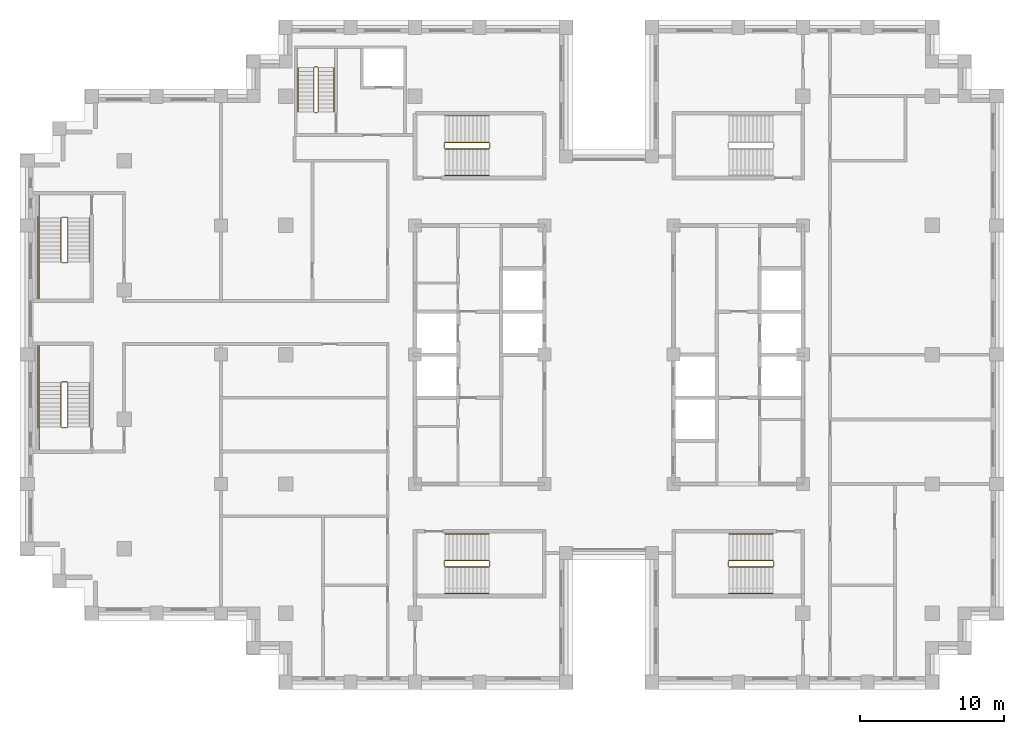
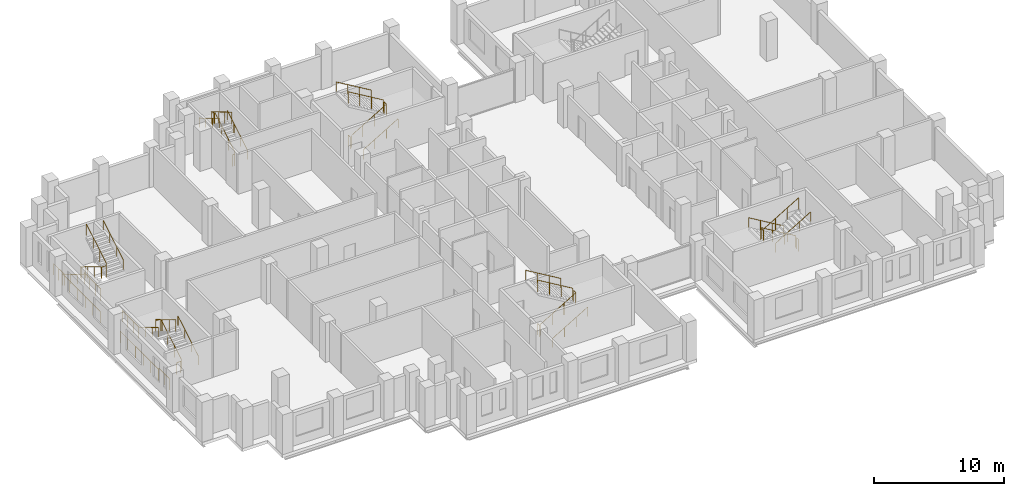
# One storey, part 14 of 15: 6 railings.
"""IFC4 building model written with IfcOpenShell, lengths in metres."""

from ifc_helpers import new_model, si_unit, direction, frame, origin, origin_2d, place, context, subcontext, project, spatial, circle, extrude, material, type_object, element, save


model = new_model("IFC4")

# Units and contexts
model_context = context("Model", 3, precision=1e-05, world=origin(), true_north=direction((0.0, 1.0)))
body_context = subcontext(model_context, "Body", "Model", "MODEL_VIEW")
ifc_project = project(units=[si_unit("LENGTHUNIT", "METRE"), si_unit("AREAUNIT", "SQUARE_METRE"), si_unit("VOLUMEUNIT", "CUBIC_METRE"), si_unit("PLANEANGLEUNIT", "RADIAN"), si_unit("MASSUNIT", "GRAM", prefix="KILO")], contexts=[model_context])

# Site, building, storey
site_placement = place(None, origin())
site = spatial("IfcSite", under=ifc_project, at=site_placement, CompositionType="ELEMENT")
building_placement = place(site_placement, origin())
building = spatial("IfcBuilding", under=site, at=building_placement, Name="Corbelhall Arena Tower", CompositionType="ELEMENT")
storey_placement = place(building_placement, frame((0.0, 0.0, 208.0)))
storey = spatial("IfcBuildingStorey", under=building, at=storey_placement, Name="L43", CompositionType="ELEMENT", Elevation=208.0)

# Railings
ifc_material = material(Name="Steel ASTM A500 Gr C", Category="steel")
railing_type = type_object("IfcRailingType", Name="IN-GD-1100", PredefinedType="GUARDRAIL", material=ifc_material)
railing_1_placement = place(storey_placement, frame((-11.425048828125, 14.324951171875, 0.166748046875)))
element("IfcRailing", 1, at=railing_1_placement, inside=storey, type_object=railing_type, Name="L43 ST1 stair guards and handrails", PredefinedType="GUARDRAIL", context=body_context, shape_type="SweptSolid", body=[
    extrude(circle(Radius=0.02392578125, at=origin_2d()), frame((0.0, 0.0, 1.076171875), z_axis=(0.859308565015, 0.0, 0.511457515432), x_axis=(0.0, 1.0, 0.0)), (0.0, 0.0, 1.0), 3.58447265625),
    extrude(circle(Radius=0.02392578125, at=origin_2d()), frame((3.130126953125, 0.050048828125, 2.9091796875), z_axis=(0.0, 1.0, 0.0), x_axis=(-1.0, 0.0, 0.0)), (0.0, 0.0, 1.0), 0.35009765625),
    extrude(circle(Radius=0.02392578125, at=origin_2d()), frame((3.080078125, 0.449951171875, 3.076171875), z_axis=(-0.859308565015, 0.0, 0.511457515432), x_axis=(0.0, -1.0, 0.0)), (0.0, 0.0, 1.0), 3.58447265625),
    extrude(circle(Radius=0.02392578125, at=origin_2d()), frame((-0.050048828125, 0.050048828125, 0.9091796875), z_axis=(0.0, 1.0, 0.0), x_axis=(-1.0, 0.0, 0.0)), (0.0, 0.0, 1.0), 0.35009765625),
    extrude(circle(Radius=0.02392578125, at=origin_2d()), frame((0.0, -1.849853515625, 0.8759765625), z_axis=(0.859308565015, 0.0, 0.511457515432), x_axis=(0.0, 1.0, 0.0)), (0.0, 0.0, 1.0), 3.58447265625),
    extrude(circle(Radius=0.02392578125, at=origin_2d()), frame((3.080078125, 2.300048828125, 2.8759765625), z_axis=(-0.859308565015, 0.0, 0.511457515432), x_axis=(0.0, -1.0, 0.0)), (0.0, 0.0, 1.0), 3.58447265625),
    extrude(circle(Radius=0.02099609375, at=origin_2d()), origin(), (0.0, 0.0, 1.0), 1.052001953125),
    extrude(circle(Radius=0.02099609375, at=origin_2d()), frame((1.026611328125, 0.0, 0.611083984375)), (0.0, 0.0, 1.0), 1.052001953125),
    extrude(circle(Radius=0.02099609375, at=origin_2d()), frame((2.053466796875, 0.0, 1.22216796875)), (0.0, 0.0, 1.0), 1.052001953125),
    extrude(circle(Radius=0.02099609375, at=origin_2d()), frame((3.080078125, 0.0, 1.833251953125)), (0.0, 0.0, 1.0), 1.052001953125),
    extrude(circle(Radius=0.02099609375, at=origin_2d()), frame((3.130126953125, 0.050048828125, 1.833251953125)), (0.0, 0.0, 1.0), 1.052001953125),
    extrude(circle(Radius=0.02099609375, at=origin_2d()), frame((3.130126953125, 0.400146484375, 1.833251953125)), (0.0, 0.0, 1.0), 1.052001953125),
    extrude(circle(Radius=0.02099609375, at=origin_2d()), frame((3.080078125, 0.449951171875, 2.0)), (0.0, 0.0, 1.0), 1.052001953125),
    extrude(circle(Radius=0.02099609375, at=origin_2d()), frame((2.053466796875, 0.449951171875, 2.611083984375)), (0.0, 0.0, 1.0), 1.052001953125),
    extrude(circle(Radius=0.02099609375, at=origin_2d()), frame((1.026611328125, 0.449951171875, 3.22216796875)), (0.0, 0.0, 1.0), 1.052001953125),
    extrude(circle(Radius=0.02099609375, at=origin_2d()), frame((0.0, 0.449951171875, 3.833251953125)), (0.0, 0.0, 1.0), 1.052001953125),
    extrude(circle(Radius=0.02099609375, at=origin_2d()), frame((-0.050048828125, 0.050048828125, -0.166748046875)), (0.0, 0.0, 1.0), 1.052001953125),
    extrude(circle(Radius=0.02099609375, at=origin_2d()), frame((-0.050048828125, 0.400146484375, -0.166748046875)), (0.0, 0.0, 1.0), 1.052001953125),
    extrude(circle(Radius=0.02099609375, at=origin_2d()), frame((0.0, -1.849853515625, 0.0)), (0.0, 0.0, 1.0), 0.851806640625),
    extrude(circle(Radius=0.02099609375, at=origin_2d()), frame((1.026611328125, -1.849853515625, 0.611083984375)), (0.0, 0.0, 1.0), 0.851806640625),
    extrude(circle(Radius=0.02099609375, at=origin_2d()), frame((2.053466796875, -1.849853515625, 1.22216796875)), (0.0, 0.0, 1.0), 0.851806640625),
    extrude(circle(Radius=0.02099609375, at=origin_2d()), frame((3.080078125, -1.849853515625, 1.833251953125)), (0.0, 0.0, 1.0), 0.851806640625),
    extrude(circle(Radius=0.02099609375, at=origin_2d()), frame((3.080078125, 2.300048828125, 2.0)), (0.0, 0.0, 1.0), 0.851806640625),
    extrude(circle(Radius=0.02099609375, at=origin_2d()), frame((2.053466796875, 2.300048828125, 2.611083984375)), (0.0, 0.0, 1.0), 0.851806640625),
    extrude(circle(Radius=0.02099609375, at=origin_2d()), frame((1.026611328125, 2.300048828125, 3.22216796875)), (0.0, 0.0, 1.0), 0.851806640625),
    extrude(circle(Radius=0.02099609375, at=origin_2d()), frame((0.0, 2.300048828125, 3.833251953125)), (0.0, 0.0, 1.0), 0.851806640625),
])
railing_2_placement = place(storey_placement, frame((-11.425048828125, -14.77490234375, 0.166748046875)))
element("IfcRailing", 2, at=railing_2_placement, inside=storey, type_object=railing_type, Name="L43 ST2 stair guards and handrails", PredefinedType="GUARDRAIL", context=body_context, shape_type="SweptSolid", body=[
    extrude(circle(Radius=0.02392578125, at=origin_2d()), frame((0.0, 0.0, 1.076171875), z_axis=(0.859308565015, 0.0, 0.511457515432), x_axis=(0.0, 1.0, 0.0)), (0.0, 0.0, 1.0), 3.58447265625),
    extrude(circle(Radius=0.02392578125, at=origin_2d()), frame((3.130126953125, 0.0498046875, 2.9091796875), z_axis=(0.0, 1.0, 0.0), x_axis=(-1.0, 0.0, 0.0)), (0.0, 0.0, 1.0), 0.35009765625),
    extrude(circle(Radius=0.02392578125, at=origin_2d()), frame((3.080078125, 0.449951171875, 3.076171875), z_axis=(-0.859308565015, 0.0, 0.511457515432), x_axis=(0.0, -1.0, 0.0)), (0.0, 0.0, 1.0), 3.58447265625),
    extrude(circle(Radius=0.02392578125, at=origin_2d()), frame((-0.050048828125, 0.0498046875, 0.9091796875), z_axis=(0.0, 1.0, 0.0), x_axis=(-1.0, 0.0, 0.0)), (0.0, 0.0, 1.0), 0.35009765625),
    extrude(circle(Radius=0.02392578125, at=origin_2d()), frame((0.0, -1.85009765625, 0.8759765625), z_axis=(0.859308565015, 0.0, 0.511457515432), x_axis=(0.0, 1.0, 0.0)), (0.0, 0.0, 1.0), 3.58447265625),
    extrude(circle(Radius=0.02392578125, at=origin_2d()), frame((3.080078125, 2.2998046875, 2.8759765625), z_axis=(-0.859308565015, 0.0, 0.511457515432), x_axis=(0.0, -1.0, 0.0)), (0.0, 0.0, 1.0), 3.58447265625),
    extrude(circle(Radius=0.02099609375, at=origin_2d()), origin(), (0.0, 0.0, 1.0), 1.052001953125),
    extrude(circle(Radius=0.02099609375, at=origin_2d()), frame((1.026611328125, 0.0, 0.611083984375)), (0.0, 0.0, 1.0), 1.052001953125),
    extrude(circle(Radius=0.02099609375, at=origin_2d()), frame((2.053466796875, 0.0, 1.22216796875)), (0.0, 0.0, 1.0), 1.052001953125),
    extrude(circle(Radius=0.02099609375, at=origin_2d()), frame((3.080078125, 0.0, 1.833251953125)), (0.0, 0.0, 1.0), 1.052001953125),
    extrude(circle(Radius=0.02099609375, at=origin_2d()), frame((3.130126953125, 0.0498046875, 1.833251953125)), (0.0, 0.0, 1.0), 1.052001953125),
    extrude(circle(Radius=0.02099609375, at=origin_2d()), frame((3.130126953125, 0.39990234375, 1.833251953125)), (0.0, 0.0, 1.0), 1.052001953125),
    extrude(circle(Radius=0.02099609375, at=origin_2d()), frame((3.080078125, 0.449951171875, 2.0)), (0.0, 0.0, 1.0), 1.052001953125),
    extrude(circle(Radius=0.02099609375, at=origin_2d()), frame((2.053466796875, 0.449951171875, 2.611083984375)), (0.0, 0.0, 1.0), 1.052001953125),
    extrude(circle(Radius=0.02099609375, at=origin_2d()), frame((1.026611328125, 0.449951171875, 3.22216796875)), (0.0, 0.0, 1.0), 1.052001953125),
    extrude(circle(Radius=0.02099609375, at=origin_2d()), frame((0.0, 0.449951171875, 3.833251953125)), (0.0, 0.0, 1.0), 1.052001953125),
    extrude(circle(Radius=0.02099609375, at=origin_2d()), frame((-0.050048828125, 0.0498046875, -0.166748046875)), (0.0, 0.0, 1.0), 1.052001953125),
    extrude(circle(Radius=0.02099609375, at=origin_2d()), frame((-0.050048828125, 0.39990234375, -0.166748046875)), (0.0, 0.0, 1.0), 1.052001953125),
    extrude(circle(Radius=0.02099609375, at=origin_2d()), frame((0.0, -1.85009765625, 0.0)), (0.0, 0.0, 1.0), 0.851806640625),
    extrude(circle(Radius=0.02099609375, at=origin_2d()), frame((1.026611328125, -1.85009765625, 0.611083984375)), (0.0, 0.0, 1.0), 0.851806640625),
    extrude(circle(Radius=0.02099609375, at=origin_2d()), frame((2.053466796875, -1.85009765625, 1.22216796875)), (0.0, 0.0, 1.0), 0.851806640625),
    extrude(circle(Radius=0.02099609375, at=origin_2d()), frame((3.080078125, -1.85009765625, 1.833251953125)), (0.0, 0.0, 1.0), 0.851806640625),
    extrude(circle(Radius=0.02099609375, at=origin_2d()), frame((3.080078125, 2.2998046875, 2.0)), (0.0, 0.0, 1.0), 0.851806640625),
    extrude(circle(Radius=0.02099609375, at=origin_2d()), frame((2.053466796875, 2.2998046875, 2.611083984375)), (0.0, 0.0, 1.0), 0.851806640625),
    extrude(circle(Radius=0.02099609375, at=origin_2d()), frame((1.026611328125, 2.2998046875, 3.22216796875)), (0.0, 0.0, 1.0), 0.851806640625),
    extrude(circle(Radius=0.02099609375, at=origin_2d()), frame((0.0, 2.2998046875, 3.833251953125)), (0.0, 0.0, 1.0), 0.851806640625),
])
railing_3_placement = place(storey_placement, frame((11.425048828125, -14.324951171875, 0.166748046875)))
element("IfcRailing", 3, at=railing_3_placement, inside=storey, type_object=railing_type, Name="L43 ST4 stair guards and handrails", PredefinedType="GUARDRAIL", context=body_context, shape_type="SweptSolid", body=[
    extrude(circle(Radius=0.02392578125, at=origin_2d()), frame((0.0, 0.0, 1.076171875), z_axis=(-0.859308565015, 0.0, 0.511457515432), x_axis=(0.0, -1.0, 0.0)), (0.0, 0.0, 1.0), 3.58447265625),
    extrude(circle(Radius=0.02392578125, at=origin_2d()), frame((-3.130126953125, -0.050048828125, 2.9091796875), z_axis=(0.0, -1.0, 0.0), x_axis=(1.0, 0.0, 0.0)), (0.0, 0.0, 1.0), 0.35009765625),
    extrude(circle(Radius=0.02392578125, at=origin_2d()), frame((-3.080078125, -0.449951171875, 3.076171875), z_axis=(0.859308565015, 0.0, 0.511457515432), x_axis=(0.0, 1.0, 0.0)), (0.0, 0.0, 1.0), 3.58447265625),
    extrude(circle(Radius=0.02392578125, at=origin_2d()), frame((0.050048828125, -0.050048828125, 0.9091796875), z_axis=(0.0, -1.0, 0.0), x_axis=(1.0, 0.0, 0.0)), (0.0, 0.0, 1.0), 0.35009765625),
    extrude(circle(Radius=0.02392578125, at=origin_2d()), frame((0.0, 1.849853515625, 0.8759765625), z_axis=(-0.859308565015, 0.0, 0.511457515432), x_axis=(0.0, -1.0, 0.0)), (0.0, 0.0, 1.0), 3.58447265625),
    extrude(circle(Radius=0.02392578125, at=origin_2d()), frame((-3.080078125, -2.300048828125, 2.8759765625), z_axis=(0.859308565015, 0.0, 0.511457515432), x_axis=(0.0, 1.0, 0.0)), (0.0, 0.0, 1.0), 3.58447265625),
    extrude(circle(Radius=0.02099609375, at=origin_2d()), origin(), (0.0, 0.0, 1.0), 1.052001953125),
    extrude(circle(Radius=0.02099609375, at=origin_2d()), frame((-1.026611328125, 0.0, 0.611083984375)), (0.0, 0.0, 1.0), 1.052001953125),
    extrude(circle(Radius=0.02099609375, at=origin_2d()), frame((-2.053466796875, 0.0, 1.22216796875)), (0.0, 0.0, 1.0), 1.052001953125),
    extrude(circle(Radius=0.02099609375, at=origin_2d()), frame((-3.080078125, 0.0, 1.833251953125)), (0.0, 0.0, 1.0), 1.052001953125),
    extrude(circle(Radius=0.02099609375, at=origin_2d()), frame((-3.130126953125, -0.050048828125, 1.833251953125)), (0.0, 0.0, 1.0), 1.052001953125),
    extrude(circle(Radius=0.02099609375, at=origin_2d()), frame((-3.130126953125, -0.400146484375, 1.833251953125)), (0.0, 0.0, 1.0), 1.052001953125),
    extrude(circle(Radius=0.02099609375, at=origin_2d()), frame((-3.080078125, -0.449951171875, 2.0)), (0.0, 0.0, 1.0), 1.052001953125),
    extrude(circle(Radius=0.02099609375, at=origin_2d()), frame((-2.053466796875, -0.449951171875, 2.611083984375)), (0.0, 0.0, 1.0), 1.052001953125),
    extrude(circle(Radius=0.02099609375, at=origin_2d()), frame((-1.026611328125, -0.449951171875, 3.22216796875)), (0.0, 0.0, 1.0), 1.052001953125),
    extrude(circle(Radius=0.02099609375, at=origin_2d()), frame((0.0, -0.449951171875, 3.833251953125)), (0.0, 0.0, 1.0), 1.052001953125),
    extrude(circle(Radius=0.02099609375, at=origin_2d()), frame((0.050048828125, -0.050048828125, -0.166748046875)), (0.0, 0.0, 1.0), 1.052001953125),
    extrude(circle(Radius=0.02099609375, at=origin_2d()), frame((0.050048828125, -0.400146484375, -0.166748046875)), (0.0, 0.0, 1.0), 1.052001953125),
    extrude(circle(Radius=0.02099609375, at=origin_2d()), frame((0.0, 1.849853515625, 0.0)), (0.0, 0.0, 1.0), 0.851806640625),
    extrude(circle(Radius=0.02099609375, at=origin_2d()), frame((-1.026611328125, 1.849853515625, 0.611083984375)), (0.0, 0.0, 1.0), 0.851806640625),
    extrude(circle(Radius=0.02099609375, at=origin_2d()), frame((-2.053466796875, 1.849853515625, 1.22216796875)), (0.0, 0.0, 1.0), 0.851806640625),
    extrude(circle(Radius=0.02099609375, at=origin_2d()), frame((-3.080078125, 1.849853515625, 1.833251953125)), (0.0, 0.0, 1.0), 0.851806640625),
    extrude(circle(Radius=0.02099609375, at=origin_2d()), frame((-3.080078125, -2.300048828125, 2.0)), (0.0, 0.0, 1.0), 0.851806640625),
    extrude(circle(Radius=0.02099609375, at=origin_2d()), frame((-2.053466796875, -2.300048828125, 2.611083984375)), (0.0, 0.0, 1.0), 0.851806640625),
    extrude(circle(Radius=0.02099609375, at=origin_2d()), frame((-1.026611328125, -2.300048828125, 3.22216796875)), (0.0, 0.0, 1.0), 0.851806640625),
    extrude(circle(Radius=0.02099609375, at=origin_2d()), frame((0.0, -2.300048828125, 3.833251953125)), (0.0, 0.0, 1.0), 0.851806640625),
])
railing_4_placement = place(storey_placement, frame((-38.14990234375, 9.52490234375, 0.166748046875)))
element("IfcRailing", 4, at=railing_4_placement, inside=storey, type_object=railing_type, Name="L43 SC1 stair guards and handrails", PredefinedType="GUARDRAIL", context=body_context, shape_type="SweptSolid", body=[
    extrude(circle(Radius=0.02392578125, at=origin_2d()), frame((0.0, 0.0, 1.076171875), z_axis=(0.0, -0.859290745958, 0.51148745235), x_axis=(1.0, 0.0, 0.0)), (0.0, 0.0, 1.0), 3.584228515625),
    extrude(circle(Radius=0.02392578125, at=origin_2d()), frame((0.0498046875, -3.1298828125, 2.9091796875), z_axis=(1.0, 0.0, 0.0), x_axis=(0.0, 1.0, 0.0)), (0.0, 0.0, 1.0), 0.375),
    extrude(circle(Radius=0.02392578125, at=origin_2d()), frame((-1.5, -3.079833984375, 2.9091796875), z_axis=(0.0, -1.0, 0.0), x_axis=(1.0, 0.0, 0.0)), (0.0, 0.0, 1.0), 2.570068359375),
    extrude(circle(Radius=0.02392578125, at=origin_2d()), frame((0.474853515625, -3.079833984375, 3.076171875), z_axis=(0.0, 0.859290745958, 0.51148745235), x_axis=(-1.0, 0.0, 0.0)), (0.0, 0.0, 1.0), 3.584228515625),
    extrude(circle(Radius=0.02392578125, at=origin_2d()), frame((0.0498046875, 0.050048828125, 0.9091796875), z_axis=(1.0, 0.0, 0.0), x_axis=(0.0, 1.0, 0.0)), (0.0, 0.0, 1.0), 0.375),
    extrude(circle(Radius=0.02392578125, at=origin_2d()), frame((-1.5, 1.60009765625, 0.9091796875), z_axis=(0.0, -1.0, 0.0), x_axis=(1.0, 0.0, 0.0)), (0.0, 0.0, 1.0), 1.60009765625),
    extrude(circle(Radius=0.02392578125, at=origin_2d()), frame((-1.60009765625, 0.10009765625, 0.9091796875), z_axis=(0.0, -1.0, 0.0), x_axis=(1.0, 0.0, 0.0)), (0.0, 0.0, 1.0), 5.85009765625),
    extrude(circle(Radius=0.02392578125, at=origin_2d()), frame((-1.5, 0.0, 0.8759765625), z_axis=(0.0, -0.859290745958, 0.51148745235), x_axis=(1.0, 0.0, 0.0)), (0.0, 0.0, 1.0), 3.584228515625),
    extrude(circle(Radius=0.02392578125, at=origin_2d()), frame((1.974853515625, -3.079833984375, 2.8759765625), z_axis=(0.0, 0.859290745958, 0.51148745235), x_axis=(-1.0, 0.0, 0.0)), (0.0, 0.0, 1.0), 3.584228515625),
    extrude(circle(Radius=0.02099609375, at=origin_2d()), origin(), (0.0, 0.0, 1.0), 1.052001953125),
    extrude(circle(Radius=0.02099609375, at=origin_2d()), frame((0.0, -1.026611328125, 0.611083984375)), (0.0, 0.0, 1.0), 1.052001953125),
    extrude(circle(Radius=0.02099609375, at=origin_2d()), frame((0.0, -2.05322265625, 1.22216796875)), (0.0, 0.0, 1.0), 1.052001953125),
    extrude(circle(Radius=0.02099609375, at=origin_2d()), frame((0.0, -3.079833984375, 1.833251953125)), (0.0, 0.0, 1.0), 1.052001953125),
    extrude(circle(Radius=0.02099609375, at=origin_2d()), frame((0.0498046875, -3.1298828125, 1.833251953125)), (0.0, 0.0, 1.0), 1.052001953125),
    extrude(circle(Radius=0.02099609375, at=origin_2d()), frame((0.4248046875, -3.1298828125, 1.833251953125)), (0.0, 0.0, 1.0), 1.052001953125),
    extrude(circle(Radius=0.02099609375, at=origin_2d()), frame((-1.5, -3.079833984375, 1.833251953125)), (0.0, 0.0, 1.0), 1.052001953125),
    extrude(circle(Radius=0.02099609375, at=origin_2d()), frame((-1.5, -3.9365234375, 1.833251953125)), (0.0, 0.0, 1.0), 1.052001953125),
    extrude(circle(Radius=0.02099609375, at=origin_2d()), frame((-1.5, -4.793212890625, 1.833251953125)), (0.0, 0.0, 1.0), 1.052001953125),
    extrude(circle(Radius=0.02099609375, at=origin_2d()), frame((-1.5, -5.64990234375, 1.833251953125)), (0.0, 0.0, 1.0), 1.052001953125),
    extrude(circle(Radius=0.02099609375, at=origin_2d()), frame((0.474853515625, -3.079833984375, 2.0)), (0.0, 0.0, 1.0), 1.052001953125),
    extrude(circle(Radius=0.02099609375, at=origin_2d()), frame((0.474853515625, -2.05322265625, 2.611083984375)), (0.0, 0.0, 1.0), 1.052001953125),
    extrude(circle(Radius=0.02099609375, at=origin_2d()), frame((0.474853515625, -1.026611328125, 3.22216796875)), (0.0, 0.0, 1.0), 1.052001953125),
    extrude(circle(Radius=0.02099609375, at=origin_2d()), frame((0.474853515625, 0.0, 3.833251953125)), (0.0, 0.0, 1.0), 1.052001953125),
    extrude(circle(Radius=0.02099609375, at=origin_2d()), frame((0.0498046875, 0.050048828125, -0.166748046875)), (0.0, 0.0, 1.0), 1.052001953125),
    extrude(circle(Radius=0.02099609375, at=origin_2d()), frame((0.4248046875, 0.050048828125, -0.166748046875)), (0.0, 0.0, 1.0), 1.052001953125),
    extrude(circle(Radius=0.02099609375, at=origin_2d()), frame((-1.5, 1.60009765625, -0.166748046875)), (0.0, 0.0, 1.0), 1.052001953125),
    extrude(circle(Radius=0.02099609375, at=origin_2d()), frame((-1.5, 0.800048828125, -0.166748046875)), (0.0, 0.0, 1.0), 1.052001953125),
    extrude(circle(Radius=0.02099609375, at=origin_2d()), frame((-1.5, 0.0, -0.166748046875)), (0.0, 0.0, 1.0), 1.052001953125),
    extrude(circle(Radius=0.02099609375, at=origin_2d()), frame((-1.60009765625, 0.10009765625, -0.166748046875)), (0.0, 0.0, 1.0), 1.052001953125),
    extrude(circle(Radius=0.02099609375, at=origin_2d()), frame((-1.60009765625, -1.06982421875, -0.166748046875)), (0.0, 0.0, 1.0), 1.052001953125),
    extrude(circle(Radius=0.02099609375, at=origin_2d()), frame((-1.60009765625, -2.239990234375, -0.166748046875)), (0.0, 0.0, 1.0), 1.052001953125),
    extrude(circle(Radius=0.02099609375, at=origin_2d()), frame((-1.60009765625, -3.409912109375, -0.166748046875)), (0.0, 0.0, 1.0), 1.052001953125),
    extrude(circle(Radius=0.02099609375, at=origin_2d()), frame((-1.60009765625, -4.580078125, -0.166748046875)), (0.0, 0.0, 1.0), 1.052001953125),
    extrude(circle(Radius=0.02099609375, at=origin_2d()), frame((-1.60009765625, -5.75, -0.166748046875)), (0.0, 0.0, 1.0), 1.052001953125),
    extrude(circle(Radius=0.02099609375, at=origin_2d()), frame((-1.5, 0.0, 0.0)), (0.0, 0.0, 1.0), 0.851806640625),
    extrude(circle(Radius=0.02099609375, at=origin_2d()), frame((-1.5, -1.026611328125, 0.611083984375)), (0.0, 0.0, 1.0), 0.851806640625),
    extrude(circle(Radius=0.02099609375, at=origin_2d()), frame((-1.5, -2.05322265625, 1.22216796875)), (0.0, 0.0, 1.0), 0.851806640625),
    extrude(circle(Radius=0.02099609375, at=origin_2d()), frame((1.974853515625, -3.079833984375, 2.0)), (0.0, 0.0, 1.0), 0.851806640625),
    extrude(circle(Radius=0.02099609375, at=origin_2d()), frame((1.974853515625, -2.05322265625, 2.611083984375)), (0.0, 0.0, 1.0), 0.851806640625),
    extrude(circle(Radius=0.02099609375, at=origin_2d()), frame((1.974853515625, -1.026611328125, 3.22216796875)), (0.0, 0.0, 1.0), 0.851806640625),
    extrude(circle(Radius=0.02099609375, at=origin_2d()), frame((1.974853515625, 0.0, 3.833251953125)), (0.0, 0.0, 1.0), 0.851806640625),
])
railing_5_placement = place(storey_placement, frame((-37.675048828125, -5.02490234375, 0.166748046875)))
element("IfcRailing", 5, at=railing_5_placement, inside=storey, type_object=railing_type, Name="L43 SC2 stair guards and handrails", PredefinedType="GUARDRAIL", context=body_context, shape_type="SweptSolid", body=[
    extrude(circle(Radius=0.02392578125, at=origin_2d()), frame((0.0, 0.0, 1.076171875), z_axis=(0.0, 0.859290745958, 0.51148745235), x_axis=(-1.0, 0.0, 0.0)), (0.0, 0.0, 1.0), 3.584228515625),
    extrude(circle(Radius=0.02392578125, at=origin_2d()), frame((-0.050048828125, 3.1298828125, 2.9091796875), z_axis=(-1.0, 0.0, 0.0), x_axis=(0.0, -1.0, 0.0)), (0.0, 0.0, 1.0), 0.375),
    extrude(circle(Radius=0.02392578125, at=origin_2d()), frame((-1.974853515625, 3.079833984375, 2.9091796875), z_axis=(0.0, 1.0, 0.0), x_axis=(-1.0, 0.0, 0.0)), (0.0, 0.0, 1.0), 2.570068359375),
    extrude(circle(Radius=0.02392578125, at=origin_2d()), frame((-0.474853515625, 3.079833984375, 3.076171875), z_axis=(0.0, -0.859290745958, 0.51148745235), x_axis=(1.0, 0.0, 0.0)), (0.0, 0.0, 1.0), 3.584228515625),
    extrude(circle(Radius=0.02392578125, at=origin_2d()), frame((-0.050048828125, -0.050048828125, 0.9091796875), z_axis=(-1.0, 0.0, 0.0), x_axis=(0.0, -1.0, 0.0)), (0.0, 0.0, 1.0), 0.375),
    extrude(circle(Radius=0.02392578125, at=origin_2d()), frame((-1.974853515625, -1.60009765625, 0.9091796875), z_axis=(0.0, 1.0, 0.0), x_axis=(-1.0, 0.0, 0.0)), (0.0, 0.0, 1.0), 1.60009765625),
    extrude(circle(Radius=0.02392578125, at=origin_2d()), frame((-2.074951171875, -0.10009765625, 0.9091796875), z_axis=(0.0, 1.0, 0.0), x_axis=(-1.0, 0.0, 0.0)), (0.0, 0.0, 1.0), 5.85009765625),
    extrude(circle(Radius=0.02392578125, at=origin_2d()), frame((1.5, 0.0, 0.8759765625), z_axis=(0.0, 0.859290745958, 0.51148745235), x_axis=(-1.0, 0.0, 0.0)), (0.0, 0.0, 1.0), 3.584228515625),
    extrude(circle(Radius=0.02392578125, at=origin_2d()), frame((-1.974853515625, 3.079833984375, 2.8759765625), z_axis=(0.0, -0.859290745958, 0.51148745235), x_axis=(1.0, 0.0, 0.0)), (0.0, 0.0, 1.0), 3.584228515625),
    extrude(circle(Radius=0.02099609375, at=origin_2d()), origin(), (0.0, 0.0, 1.0), 1.052001953125),
    extrude(circle(Radius=0.02099609375, at=origin_2d()), frame((0.0, 1.026611328125, 0.611083984375)), (0.0, 0.0, 1.0), 1.052001953125),
    extrude(circle(Radius=0.02099609375, at=origin_2d()), frame((0.0, 2.05322265625, 1.22216796875)), (0.0, 0.0, 1.0), 1.052001953125),
    extrude(circle(Radius=0.02099609375, at=origin_2d()), frame((0.0, 3.079833984375, 1.833251953125)), (0.0, 0.0, 1.0), 1.052001953125),
    extrude(circle(Radius=0.02099609375, at=origin_2d()), frame((-0.050048828125, 3.1298828125, 1.833251953125)), (0.0, 0.0, 1.0), 1.052001953125),
    extrude(circle(Radius=0.02099609375, at=origin_2d()), frame((-0.425048828125, 3.1298828125, 1.833251953125)), (0.0, 0.0, 1.0), 1.052001953125),
    extrude(circle(Radius=0.02099609375, at=origin_2d()), frame((-1.974853515625, 3.079833984375, 1.833251953125)), (0.0, 0.0, 1.0), 1.052001953125),
    extrude(circle(Radius=0.02099609375, at=origin_2d()), frame((-1.974853515625, 3.9365234375, 1.833251953125)), (0.0, 0.0, 1.0), 1.052001953125),
    extrude(circle(Radius=0.02099609375, at=origin_2d()), frame((-1.974853515625, 4.793212890625, 1.833251953125)), (0.0, 0.0, 1.0), 1.052001953125),
    extrude(circle(Radius=0.02099609375, at=origin_2d()), frame((-1.974853515625, 5.64990234375, 1.833251953125)), (0.0, 0.0, 1.0), 1.052001953125),
    extrude(circle(Radius=0.02099609375, at=origin_2d()), frame((-0.474853515625, 3.079833984375, 2.0)), (0.0, 0.0, 1.0), 1.052001953125),
    extrude(circle(Radius=0.02099609375, at=origin_2d()), frame((-0.474853515625, 2.05322265625, 2.611083984375)), (0.0, 0.0, 1.0), 1.052001953125),
    extrude(circle(Radius=0.02099609375, at=origin_2d()), frame((-0.474853515625, 1.026611328125, 3.22216796875)), (0.0, 0.0, 1.0), 1.052001953125),
    extrude(circle(Radius=0.02099609375, at=origin_2d()), frame((-0.474853515625, 0.0, 3.833251953125)), (0.0, 0.0, 1.0), 1.052001953125),
    extrude(circle(Radius=0.02099609375, at=origin_2d()), frame((-0.050048828125, -0.050048828125, -0.166748046875)), (0.0, 0.0, 1.0), 1.052001953125),
    extrude(circle(Radius=0.02099609375, at=origin_2d()), frame((-0.425048828125, -0.050048828125, -0.166748046875)), (0.0, 0.0, 1.0), 1.052001953125),
    extrude(circle(Radius=0.02099609375, at=origin_2d()), frame((-1.974853515625, -1.60009765625, -0.166748046875)), (0.0, 0.0, 1.0), 1.052001953125),
    extrude(circle(Radius=0.02099609375, at=origin_2d()), frame((-1.974853515625, -0.800048828125, -0.166748046875)), (0.0, 0.0, 1.0), 1.052001953125),
    extrude(circle(Radius=0.02099609375, at=origin_2d()), frame((-1.974853515625, 0.0, -0.166748046875)), (0.0, 0.0, 1.0), 1.052001953125),
    extrude(circle(Radius=0.02099609375, at=origin_2d()), frame((-2.074951171875, -0.10009765625, -0.166748046875)), (0.0, 0.0, 1.0), 1.052001953125),
    extrude(circle(Radius=0.02099609375, at=origin_2d()), frame((-2.074951171875, 1.06982421875, -0.166748046875)), (0.0, 0.0, 1.0), 1.052001953125),
    extrude(circle(Radius=0.02099609375, at=origin_2d()), frame((-2.074951171875, 2.239990234375, -0.166748046875)), (0.0, 0.0, 1.0), 1.052001953125),
    extrude(circle(Radius=0.02099609375, at=origin_2d()), frame((-2.074951171875, 3.409912109375, -0.166748046875)), (0.0, 0.0, 1.0), 1.052001953125),
    extrude(circle(Radius=0.02099609375, at=origin_2d()), frame((-2.074951171875, 4.580078125, -0.166748046875)), (0.0, 0.0, 1.0), 1.052001953125),
    extrude(circle(Radius=0.02099609375, at=origin_2d()), frame((-2.074951171875, 5.75, -0.166748046875)), (0.0, 0.0, 1.0), 1.052001953125),
    extrude(circle(Radius=0.02099609375, at=origin_2d()), frame((1.5, 0.0, 0.0)), (0.0, 0.0, 1.0), 0.851806640625),
    extrude(circle(Radius=0.02099609375, at=origin_2d()), frame((1.5, 1.026611328125, 0.611083984375)), (0.0, 0.0, 1.0), 0.851806640625),
    extrude(circle(Radius=0.02099609375, at=origin_2d()), frame((1.5, 2.05322265625, 1.22216796875)), (0.0, 0.0, 1.0), 0.851806640625),
    extrude(circle(Radius=0.02099609375, at=origin_2d()), frame((1.5, 3.079833984375, 1.833251953125)), (0.0, 0.0, 1.0), 0.851806640625),
    extrude(circle(Radius=0.02099609375, at=origin_2d()), frame((-1.974853515625, 3.079833984375, 2.0)), (0.0, 0.0, 1.0), 0.851806640625),
    extrude(circle(Radius=0.02099609375, at=origin_2d()), frame((-1.974853515625, 2.05322265625, 2.611083984375)), (0.0, 0.0, 1.0), 0.851806640625),
    extrude(circle(Radius=0.02099609375, at=origin_2d()), frame((-1.974853515625, 1.026611328125, 3.22216796875)), (0.0, 0.0, 1.0), 0.851806640625),
    extrude(circle(Radius=0.02099609375, at=origin_2d()), frame((-1.974853515625, 0.0, 3.833251953125)), (0.0, 0.0, 1.0), 0.851806640625),
])
railing_6_placement = place(storey_placement, frame((-20.2451171875, 16.89990234375, 0.166748046875)))
element("IfcRailing", 6, at=railing_6_placement, inside=storey, type_object=railing_type, Name="L43 ST5 stair guards and handrails", PredefinedType="GUARDRAIL", context=body_context, shape_type="SweptSolid", body=[
    extrude(circle(Radius=0.02392578125, at=origin_2d()), frame((0.0, 0.0, 1.076171875), z_axis=(0.0, 0.859308565015, 0.511457515432), x_axis=(-1.0, 0.0, 0.0)), (0.0, 0.0, 1.0), 3.58447265625),
    extrude(circle(Radius=0.02392578125, at=origin_2d()), frame((-0.0498046875, 3.130126953125, 2.9091796875), z_axis=(-1.0, 0.0, 0.0), x_axis=(0.0, -1.0, 0.0)), (0.0, 0.0, 1.0), 0.2001953125),
    extrude(circle(Radius=0.02392578125, at=origin_2d()), frame((-0.2998046875, 3.080078125, 3.076171875), z_axis=(0.0, -0.859308565015, 0.511457515432), x_axis=(1.0, 0.0, 0.0)), (0.0, 0.0, 1.0), 3.58447265625),
    extrude(circle(Radius=0.02392578125, at=origin_2d()), frame((-0.0498046875, -0.0498046875, 0.9091796875), z_axis=(-1.0, 0.0, 0.0), x_axis=(0.0, -1.0, 0.0)), (0.0, 0.0, 1.0), 0.2001953125),
    extrude(circle(Radius=0.02392578125, at=origin_2d()), frame((1.10009765625, 0.0, 0.8759765625), z_axis=(0.0, 0.859308565015, 0.511457515432), x_axis=(-1.0, 0.0, 0.0)), (0.0, 0.0, 1.0), 3.58447265625),
    extrude(circle(Radius=0.02392578125, at=origin_2d()), frame((-1.39990234375, 3.080078125, 2.8759765625), z_axis=(0.0, -0.859308565015, 0.511457515432), x_axis=(1.0, 0.0, 0.0)), (0.0, 0.0, 1.0), 3.58447265625),
    extrude(circle(Radius=0.02099609375, at=origin_2d()), origin(), (0.0, 0.0, 1.0), 1.052001953125),
    extrude(circle(Radius=0.02099609375, at=origin_2d()), frame((0.0, 1.026611328125, 0.611083984375)), (0.0, 0.0, 1.0), 1.052001953125),
    extrude(circle(Radius=0.02099609375, at=origin_2d()), frame((0.0, 2.053466796875, 1.22216796875)), (0.0, 0.0, 1.0), 1.052001953125),
    extrude(circle(Radius=0.02099609375, at=origin_2d()), frame((0.0, 3.080078125, 1.833251953125)), (0.0, 0.0, 1.0), 1.052001953125),
    extrude(circle(Radius=0.02099609375, at=origin_2d()), frame((-0.0498046875, 3.130126953125, 1.833251953125)), (0.0, 0.0, 1.0), 1.052001953125),
    extrude(circle(Radius=0.02099609375, at=origin_2d()), frame((-0.25, 3.130126953125, 1.833251953125)), (0.0, 0.0, 1.0), 1.052001953125),
    extrude(circle(Radius=0.02099609375, at=origin_2d()), frame((-0.2998046875, 3.080078125, 2.0)), (0.0, 0.0, 1.0), 1.052001953125),
    extrude(circle(Radius=0.02099609375, at=origin_2d()), frame((-0.2998046875, 2.053466796875, 2.611083984375)), (0.0, 0.0, 1.0), 1.052001953125),
    extrude(circle(Radius=0.02099609375, at=origin_2d()), frame((-0.2998046875, 1.026611328125, 3.22216796875)), (0.0, 0.0, 1.0), 1.052001953125),
    extrude(circle(Radius=0.02099609375, at=origin_2d()), frame((-0.2998046875, 0.0, 3.833251953125)), (0.0, 0.0, 1.0), 1.052001953125),
    extrude(circle(Radius=0.02099609375, at=origin_2d()), frame((-0.0498046875, -0.0498046875, -0.166748046875)), (0.0, 0.0, 1.0), 1.052001953125),
    extrude(circle(Radius=0.02099609375, at=origin_2d()), frame((-0.25, -0.0498046875, -0.166748046875)), (0.0, 0.0, 1.0), 1.052001953125),
    extrude(circle(Radius=0.02099609375, at=origin_2d()), frame((1.10009765625, 0.0, 0.0)), (0.0, 0.0, 1.0), 0.851806640625),
    extrude(circle(Radius=0.02099609375, at=origin_2d()), frame((1.10009765625, 1.026611328125, 0.611083984375)), (0.0, 0.0, 1.0), 0.851806640625),
    extrude(circle(Radius=0.02099609375, at=origin_2d()), frame((1.10009765625, 2.053466796875, 1.22216796875)), (0.0, 0.0, 1.0), 0.851806640625),
    extrude(circle(Radius=0.02099609375, at=origin_2d()), frame((1.10009765625, 3.080078125, 1.833251953125)), (0.0, 0.0, 1.0), 0.851806640625),
    extrude(circle(Radius=0.02099609375, at=origin_2d()), frame((-1.39990234375, 3.080078125, 2.0)), (0.0, 0.0, 1.0), 0.851806640625),
    extrude(circle(Radius=0.02099609375, at=origin_2d()), frame((-1.39990234375, 2.053466796875, 2.611083984375)), (0.0, 0.0, 1.0), 0.851806640625),
    extrude(circle(Radius=0.02099609375, at=origin_2d()), frame((-1.39990234375, 1.026611328125, 3.22216796875)), (0.0, 0.0, 1.0), 0.851806640625),
    extrude(circle(Radius=0.02099609375, at=origin_2d()), frame((-1.39990234375, 0.0, 3.833251953125)), (0.0, 0.0, 1.0), 0.851806640625),
])

save(model, "model.ifc")
